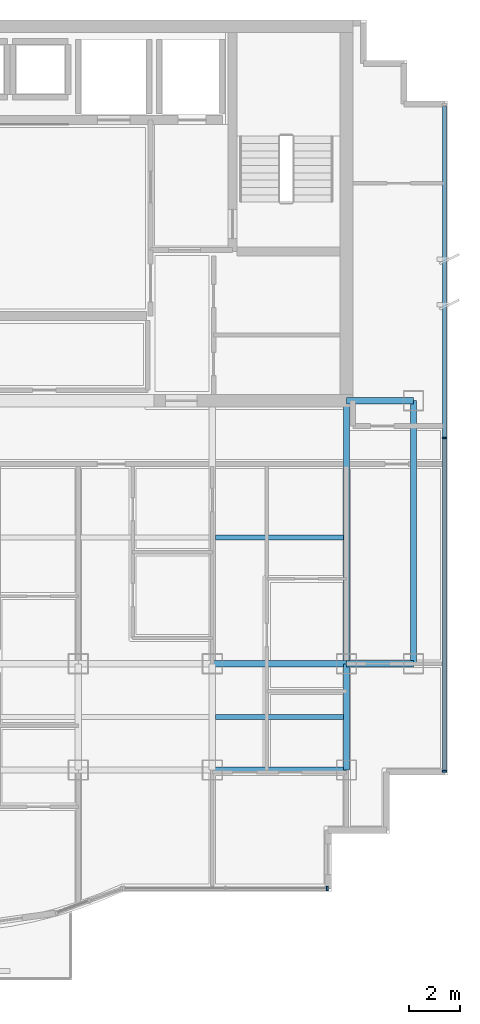
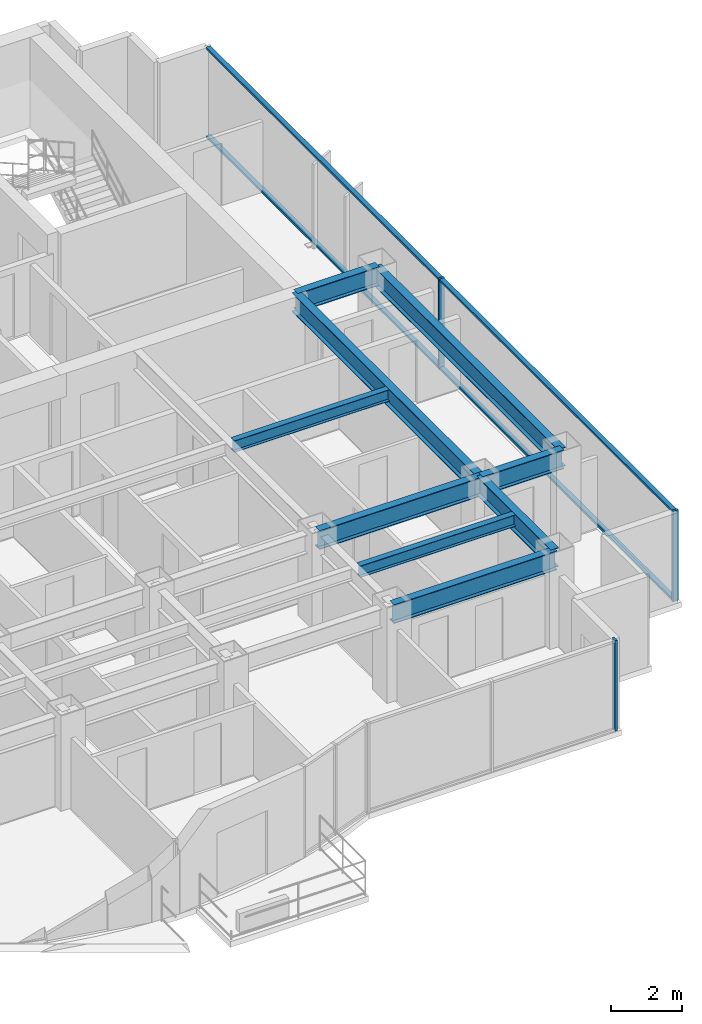
# One storey, part 4 of 12: 9 beams, 7 members, 2 elements without a shape of their own.
"""IFC4 building model written with IfcOpenShell, lengths in metres."""

from ifc_helpers import new_model, si_unit, direction, frame, origin, origin_2d, place, context, subcontext, project, spatial, rectangle, i_section, extrude, source, transform, mapped, material, layer, layer_set, material_profile, profile_set, type_object, element, aggregate, save


model = new_model("IFC4")

# Units and contexts
model_context = context("Model", 3, precision=1e-05, world=origin(), true_north=direction((0.0, 1.0)))
body_context = subcontext(model_context, "Body", "Model", "MODEL_VIEW")
ifc_project = project(units=[si_unit("LENGTHUNIT", "METRE"), si_unit("AREAUNIT", "SQUARE_METRE"), si_unit("VOLUMEUNIT", "CUBIC_METRE"), si_unit("PLANEANGLEUNIT", "RADIAN"), si_unit("MASSUNIT", "GRAM", prefix="KILO")], contexts=[model_context])

# Site, building, storey
site_placement = place(None, origin())
site = spatial("IfcSite", under=ifc_project, at=site_placement, CompositionType="ELEMENT")
building_placement = place(site_placement, origin())
building = spatial("IfcBuilding", under=site, at=building_placement, Name="Qianlan Lanfeng Residences", CompositionType="ELEMENT")
storey_placement = place(building_placement, frame((0.0, 0.0, 200.0)))
storey = spatial("IfcBuildingStorey", under=building, at=storey_placement, Name="L54", CompositionType="ELEMENT", Elevation=200.0)

# Beams
ifc_material_1 = material(Name="Steel SN490B", Category="steel")
ifc_material_profile_1 = material_profile(ifc_material_1, i_section(OverallWidth=0.25, OverallDepth=0.64990234375, WebThickness=0.012939453125, FlangeThickness=0.02197265625, at=origin_2d()), Name="H 650x250x13x22")
ifc_profile_set_1 = profile_set([ifc_material_profile_1], Name="Steel SN490B")
beam_type_1 = type_object("IfcBeamType", Name="G-650", PredefinedType="BEAM", material=ifc_profile_set_1)
for number, where, z_axis, x_axis, name in (
    (1, (37.10009765625, 10.60009765625, 2.784912109375), (1.0, 0.0, 0.0), (0.0, 1.0, 0.0), "Structural beam G-650"),
    (2, (37.10009765625, 14.800048828125, 2.784912109375), (1.0, 0.0, 0.0), (0.0, 1.0, 0.0), "Structural beam G-650"),
):
    element("IfcBeam", number, at=place(storey_placement, frame(where, z_axis=z_axis, x_axis=x_axis)), inside=storey, type_object=beam_type_1, Name=name, PredefinedType="BEAM", context=body_context, shape_type="SweptSolid", body=[
        extrude(i_section(OverallWidth=0.25, OverallDepth=0.64990234375, WebThickness=0.012939453125, FlangeThickness=0.02197265625, at=origin_2d()), origin(), (0.0, 0.0, 1.0), 5.2998046875),
    ])
for number, where, z_axis, x_axis, name in (
    (3, (42.39990234375, 14.800048828125, 2.784912109375), (1.0, 0.0, 0.0), (0.0, 1.0, 0.0), "Structural beam G-650"),
    (4, (42.39990234375, 25.199951171875, 2.784912109375), (1.0, 0.0, 0.0), (0.0, 1.0, 0.0), "Structural beam G-650"),
):
    element("IfcBeam", number, at=place(storey_placement, frame(where, z_axis=z_axis, x_axis=x_axis)), inside=storey, type_object=beam_type_1, Name=name, PredefinedType="BEAM", context=body_context, shape_type="SweptSolid", body=[
        extrude(i_section(OverallWidth=0.25, OverallDepth=0.64990234375, WebThickness=0.012939453125, FlangeThickness=0.02197265625, at=origin_2d()), origin(), (0.0, 0.0, 1.0), 2.650146484375),
    ])
beam_1_placement = place(storey_placement, frame((42.39990234375, 10.60009765625, 2.784912109375), z_axis=(0.0, 1.0, 0.0), x_axis=(-1.0, 0.0, 0.0)))
element("IfcBeam", 5, at=beam_1_placement, inside=storey, type_object=beam_type_1, Name="Structural beam G-650", PredefinedType="BEAM", context=body_context, shape_type="SweptSolid", body=[
    extrude(i_section(OverallWidth=0.25, OverallDepth=0.64990234375, WebThickness=0.012939453125, FlangeThickness=0.02197265625, at=origin_2d()), origin(), (0.0, 0.0, 1.0), 4.199951171875),
])
beam_2_placement = place(storey_placement, frame((42.39990234375, 14.800048828125, 2.784912109375), z_axis=(0.0, 1.0, 0.0), x_axis=(-1.0, 0.0, 0.0)))
element("IfcBeam", 6, at=beam_2_placement, inside=storey, type_object=beam_type_1, Name="Structural beam G-650", PredefinedType="BEAM", context=body_context, shape_type="SweptSolid", body=[
    extrude(i_section(OverallWidth=0.25, OverallDepth=0.64990234375, WebThickness=0.012939453125, FlangeThickness=0.02197265625, at=origin_2d()), origin(), (0.0, 0.0, 1.0), 10.39990234375),
])
ifc_material_profile_2 = material_profile(ifc_material_1, i_section(OverallWidth=0.199951171875, OverallDepth=0.39990234375, WebThickness=0.008056640625, FlangeThickness=0.012939453125, at=origin_2d()), Name="H 400x200x8x13")
ifc_profile_set_2 = profile_set([ifc_material_profile_2], Name="Steel SN490B")
beam_type_2 = type_object("IfcBeamType", Name="J-400", PredefinedType="JOIST", material=ifc_profile_set_2)
for number, where, z_axis, x_axis, name in (
    (7, (37.22509765625, 12.699951171875, 2.909912109375), (1.0, 0.0, 0.0), (0.0, 1.0, 0.0), "Structural beam J-400"),
    (8, (37.22509765625, 19.800048828125, 2.909912109375), (1.0, 0.0, 0.0), (0.0, 1.0, 0.0), "Structural beam J-400"),
):
    element("IfcBeam", number, at=place(storey_placement, frame(where, z_axis=z_axis, x_axis=x_axis)), inside=storey, type_object=beam_type_2, Name=name, PredefinedType="JOIST", context=body_context, shape_type="SweptSolid", body=[
        extrude(i_section(OverallWidth=0.199951171875, OverallDepth=0.39990234375, WebThickness=0.008056640625, FlangeThickness=0.012939453125, at=origin_2d()), origin(), (0.0, 0.0, 1.0), 5.0498046875),
    ])
ifc_material_profile_3 = material_profile(ifc_material_1, i_section(OverallWidth=0.25, OverallDepth=0.64990234375, WebThickness=0.012939453125, FlangeThickness=0.02197265625, at=origin_2d()), Name="H 650x250x13x22")
ifc_profile_set_3 = profile_set([ifc_material_profile_3], Name="Steel SN490B")
beam_type_3 = type_object("IfcBeamType", Name="SG-650", PredefinedType="SPANDREL", material=ifc_profile_set_3)
beam_3_placement = place(storey_placement, frame((45.050048828125, 14.800048828125, 2.764892578125), z_axis=(0.0, 1.0, 0.0), x_axis=(-1.0, 0.0, 0.0)))
element("IfcBeam", 9, at=beam_3_placement, inside=storey, type_object=beam_type_3, Name="Structural beam SG-650", PredefinedType="SPANDREL", context=body_context, shape_type="SweptSolid", body=[
    extrude(i_section(OverallWidth=0.25, OverallDepth=0.64990234375, WebThickness=0.012939453125, FlangeThickness=0.02197265625, at=origin_2d()), origin(), (0.0, 0.0, 1.0), 10.39990234375),
])

# Curtain wall, member
ifc_material_2 = material(Name="Anodised Bronze Aluminium 6063-T6", Category="aluminium")
ifc_layer = layer(ifc_material_2, 0.219970703125)
ifc_layer_set = layer_set([ifc_layer], Name="Anodised Bronze Aluminium 6063-T6")
curtain_wall_type = type_object("IfcCurtainWallType", Name="CW-05", PredefinedType="NOTDEFINED", material=ifc_layer_set)
curtain_wall_1_placement = place(storey_placement, origin())
curtain_wall_1 = element("IfcCurtainWall", 10, at=curtain_wall_1_placement, inside=storey, type_object=curtain_wall_type, Name="L54 Unitised Curtain Wall CWR-L54-03 (CW-05)", PredefinedType="NOTDEFINED")
ifc_material_profile_4 = material_profile(ifc_material_2, rectangle(XDim=0.074951171875, YDim=0.179931640625, at=origin_2d()), Name="ALU MULLION 75x180")
ifc_profile_set_4 = profile_set([ifc_material_profile_4], Name="Anodised Bronze Aluminium 6063-T6")
member_type_1 = type_object("IfcMemberType", Name="CWM-180", PredefinedType="MULLION", material=ifc_profile_set_4)
shared_shape_1 = source(origin(), body_context, "Body", "SweptSolid", [
    extrude(rectangle(XDim=0.074951171875, YDim=0.179931640625, at=origin_2d()), origin(), (0.0, 0.0, 1.0), 3.110107421875),
])
member_1_placement = place(storey_placement, frame((41.642578125, 5.919921875, 0.0), z_axis=(0.0, 0.0, 1.0), x_axis=(1.0, 0.0, 0.0)))
member_1 = element("IfcMember", 11, at=member_1_placement, type_object=member_type_1, Name="CWR-L54-03 Mullion 3", PredefinedType="MULLION", context=body_context, shape_type="MappedRepresentation", body=[
    mapped(shared_shape_1, transform((0.0, 0.0, 0.0), scale=1.0)),
])
aggregate(curtain_wall_1, [member_1])

# Curtain wall, members
curtain_wall_2_placement = place(storey_placement, origin())
curtain_wall_2 = element("IfcCurtainWall", 12, at=curtain_wall_2_placement, inside=storey, type_object=curtain_wall_type, Name="L54 Unitised Curtain Wall CWR-L54-04 (CW-05)", PredefinedType="NOTDEFINED")
member_2_placement = place(storey_placement, frame((46.280029296875, 10.5576171875, 0.0), z_axis=(0.0, 0.0, 1.0), x_axis=(0.0, 1.0, 0.0)))
member_2 = element("IfcMember", 13, at=member_2_placement, type_object=member_type_1, Name="CWR-L54-04 Mullion 1", PredefinedType="MULLION", context=body_context, shape_type="MappedRepresentation", body=[
    mapped(shared_shape_1, transform((0.0, 0.0, 0.0), scale=1.0)),
])
member_3_placement = place(storey_placement, frame((46.280029296875, 23.72509765625, 0.0), z_axis=(0.0, 0.0, 1.0), x_axis=(0.0, 1.0, 0.0)))
member_3 = element("IfcMember", 14, at=member_3_placement, type_object=member_type_1, Name="CWR-L54-04 Mullion 2", PredefinedType="MULLION", context=body_context, shape_type="MappedRepresentation", body=[
    mapped(shared_shape_1, transform((0.0, 0.0, 0.0), scale=1.0)),
])
ifc_material_profile_5 = material_profile(ifc_material_2, rectangle(XDim=0.074951171875, YDim=0.14990234375, at=origin_2d()), Name="ALU TRANSOM 75x150")
ifc_profile_set_5 = profile_set([ifc_material_profile_5], Name="Anodised Bronze Aluminium 6063-T6")
member_type_2 = type_object("IfcMemberType", Name="CWT-150", PredefinedType="USERDEFINED", material=ifc_profile_set_5)
shared_shape_2 = source(origin(), body_context, "Body", "SweptSolid", [
    extrude(rectangle(XDim=0.074951171875, YDim=0.14990234375, at=origin_2d()), origin(), (0.0, 0.0, 1.0), 13.092529296875),
])
member_4_placement = place(storey_placement, frame((46.280029296875, 10.594970703125, 0.03759765625), z_axis=(0.0, 1.0, 0.0), x_axis=(0.0, 0.0, 1.0)))
member_4 = element("IfcMember", 15, at=member_4_placement, type_object=member_type_2, Name="CWR-L54-04 Transom 1-BOT", ObjectType="TRANSOM", PredefinedType="USERDEFINED", context=body_context, shape_type="MappedRepresentation", body=[
    mapped(shared_shape_2, transform((0.0, 0.0, 0.0), scale=1.0)),
])
member_5_placement = place(storey_placement, frame((46.280029296875, 10.594970703125, 3.072509765625), z_axis=(0.0, 1.0, 0.0), x_axis=(0.0, 0.0, 1.0)))
member_5 = element("IfcMember", 16, at=member_5_placement, type_object=member_type_2, Name="CWR-L54-04 Transom 1-TOP", ObjectType="TRANSOM", PredefinedType="USERDEFINED", context=body_context, shape_type="MappedRepresentation", body=[
    mapped(shared_shape_2, transform((0.0, 0.0, 0.0), scale=1.0)),
])
member_6_placement = place(storey_placement, frame((46.280029296875, 23.762451171875, 0.03759765625), z_axis=(0.0, 1.0, 0.0), x_axis=(0.0, 0.0, 1.0)))
member_6 = element("IfcMember", 17, at=member_6_placement, type_object=member_type_2, Name="CWR-L54-04 Transom 2-BOT", ObjectType="TRANSOM", PredefinedType="USERDEFINED", context=body_context, shape_type="MappedRepresentation", body=[
    mapped(shared_shape_2, transform((0.0, 0.0, 0.0), scale=1.0)),
])
member_7_placement = place(storey_placement, frame((46.280029296875, 23.762451171875, 3.072509765625), z_axis=(0.0, 1.0, 0.0), x_axis=(0.0, 0.0, 1.0)))
member_7 = element("IfcMember", 18, at=member_7_placement, type_object=member_type_2, Name="CWR-L54-04 Transom 2-TOP", ObjectType="TRANSOM", PredefinedType="USERDEFINED", context=body_context, shape_type="MappedRepresentation", body=[
    mapped(shared_shape_2, transform((0.0, 0.0, 0.0), scale=1.0)),
])
aggregate(curtain_wall_2, [member_2, member_3, member_4, member_5, member_6, member_7])

save(model, "model.ifc")
